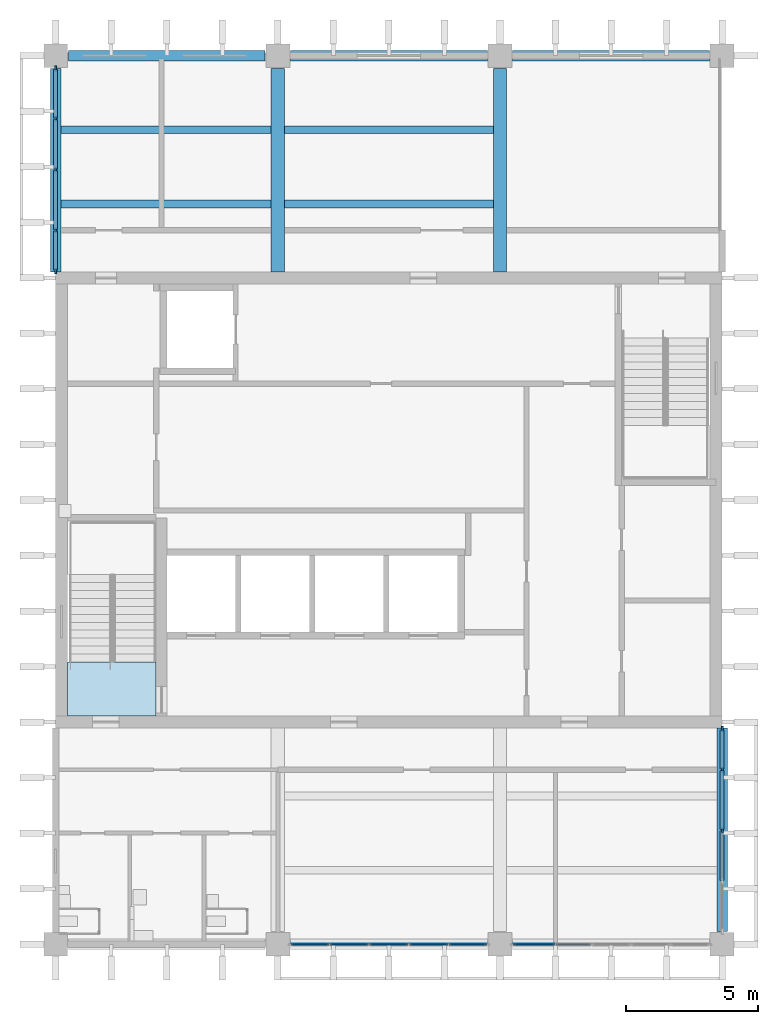
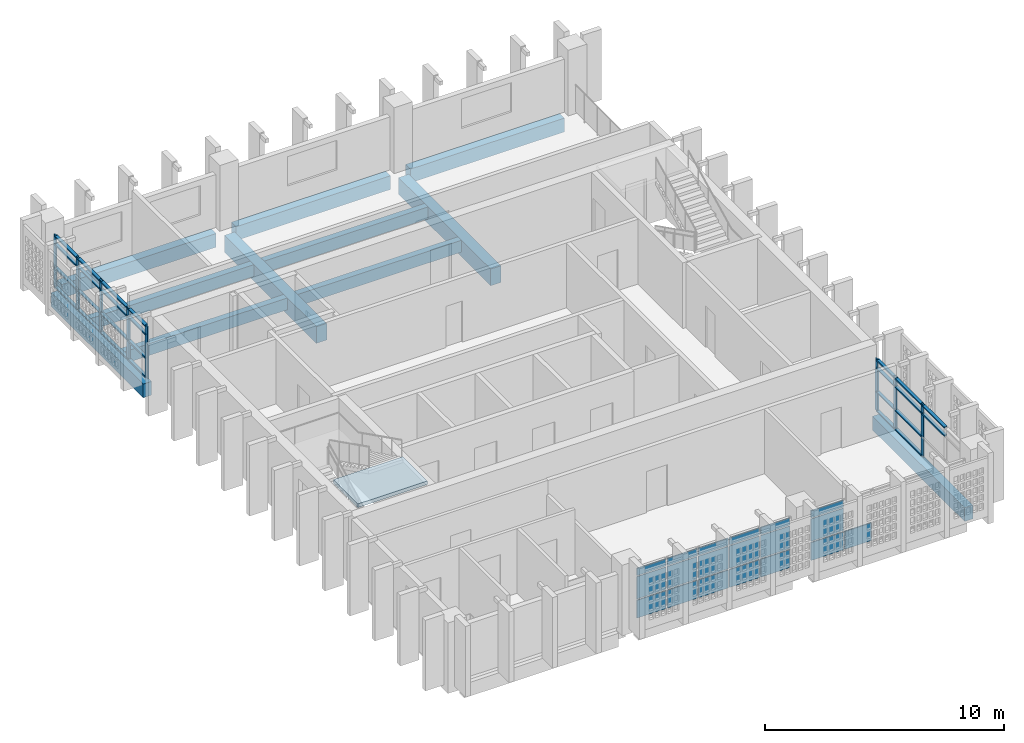
# One storey, part 3 of 13: 34 members, 19 plates, 11 beams, 1 slab, 5 elements without a shape of their own.
"""IFC4 building model written with IfcOpenShell, lengths in metres."""

from ifc_helpers import new_model, si_unit, direction, frame, origin, origin_2d, place, context, subcontext, project, spatial, polyline, rectangle, outline, extrude, material, layer, layer_set, material_profile, profile_set, type_object, element, aggregate, save


model = new_model("IFC4")

# Units and contexts
model_context = context("Model", 3, precision=1e-05, world=origin(), true_north=direction((0.0, 1.0)))
body_context = subcontext(model_context, "Body", "Model", "MODEL_VIEW")
ifc_project = project(units=[si_unit("LENGTHUNIT", "METRE"), si_unit("AREAUNIT", "SQUARE_METRE"), si_unit("VOLUMEUNIT", "CUBIC_METRE"), si_unit("PLANEANGLEUNIT", "RADIAN"), si_unit("MASSUNIT", "GRAM", prefix="KILO")], contexts=[model_context])

# Site, building, storey
site_placement = place(None, origin())
site = spatial("IfcSite", under=ifc_project, at=site_placement, CompositionType="ELEMENT")
building_placement = place(site_placement, origin())
building = spatial("IfcBuilding", under=site, at=building_placement, Name="Rulbaag Community and Learning Centre", CompositionType="ELEMENT")
storey_placement = place(building_placement, frame((0.0, 0.0, 25.199951171875)))
storey = spatial("IfcBuildingStorey", under=building, at=storey_placement, Name="L06", CompositionType="ELEMENT", Elevation=25.199951171875)

# Beams
ifc_material_1 = material(Name="Concrete M40", Category="concrete")
ifc_material_profile_1 = material_profile(ifc_material_1, rectangle(XDim=0.39990234375, YDim=0.699951171875, at=origin_2d()), Name="RB400x700")
ifc_profile_set_1 = profile_set([ifc_material_profile_1], Name="Concrete M40")
beam_type_1 = type_object("IfcBeamType", Name="B17 Tower edge beam, lower zone 400x700 Concrete M40", PredefinedType="BEAM", material=ifc_profile_set_1)
beam_1_placement = place(storey_placement, frame((142.800048828125, 109.425048828125, -0.599853515625), z_axis=(0.0, 1.0, 0.0), x_axis=(-1.0, 0.0, 0.0)))
element("IfcBeam", 1, at=beam_1_placement, inside=storey, type_object=beam_type_1, Name="BM-L06-18N-18O", PredefinedType="BEAM", context=body_context, shape_type="SweptSolid", body=[
    extrude(rectangle(XDim=0.39990234375, YDim=0.699951171875, at=origin_2d()), origin(), (0.0, 0.0, 1.0), 7.695068359375),
])
beam_2_placement = place(storey_placement, frame((143.280029296875, 117.60009765625, -0.599853515625), z_axis=(1.0, 0.0, 0.0), x_axis=(0.0, 1.0, 0.0)))
element("IfcBeam", 2, at=beam_2_placement, inside=storey, type_object=beam_type_1, Name="BM-L06-18O-19O", PredefinedType="BEAM", context=body_context, shape_type="SweptSolid", body=[
    extrude(rectangle(XDim=0.39990234375, YDim=0.699951171875, at=origin_2d()), origin(), (0.0, 0.0, 1.0), 7.43994140625),
])
beam_3_placement = place(storey_placement, frame((151.679931640625, 117.60009765625, -0.599853515625), z_axis=(1.0, 0.0, 0.0), x_axis=(0.0, 1.0, 0.0)))
element("IfcBeam", 3, at=beam_3_placement, inside=storey, type_object=beam_type_1, Name="BM-L06-19O-20O", PredefinedType="BEAM", context=body_context, shape_type="SweptSolid", body=[
    extrude(rectangle(XDim=0.39990234375, YDim=0.699951171875, at=origin_2d()), origin(), (0.0, 0.0, 1.0), 7.440185546875),
])
beam_4_placement = place(storey_placement, frame((160.080078125, 117.60009765625, -0.599853515625), z_axis=(1.0, 0.0, 0.0), x_axis=(0.0, 1.0, 0.0)))
element("IfcBeam", 4, at=beam_4_placement, inside=storey, type_object=beam_type_1, Name="BM-L06-20O-21O", PredefinedType="BEAM", context=body_context, shape_type="SweptSolid", body=[
    extrude(rectangle(XDim=0.39990234375, YDim=0.699951171875, at=origin_2d()), origin(), (0.0, 0.0, 1.0), 7.43994140625),
])
beam_5_placement = place(storey_placement, frame((168.0, 84.47998046875, -0.599853515625), z_axis=(0.0, 1.0, 0.0), x_axis=(-1.0, 0.0, 0.0)))
element("IfcBeam", 5, at=beam_5_placement, inside=storey, type_object=beam_type_1, Name="BM-L06-21K-21L", PredefinedType="BEAM", context=body_context, shape_type="SweptSolid", body=[
    extrude(rectangle(XDim=0.39990234375, YDim=0.699951171875, at=origin_2d()), origin(), (0.0, 0.0, 1.0), 7.695068359375),
])
ifc_material_profile_2 = material_profile(ifc_material_1, rectangle(XDim=0.5, YDim=0.85009765625, at=origin_2d()), Name="RB500x850")
ifc_profile_set_2 = profile_set([ifc_material_profile_2], Name="Concrete M40")
beam_type_2 = type_object("IfcBeamType", Name="B18 Core-framing beam, lower zone 500x850 Concrete M40", PredefinedType="BEAM", material=ifc_profile_set_2)
for number, where, z_axis, x_axis, name in (
    (6, (151.199951171875, 109.425048828125, -0.675048828125), (0.0, 1.0, 0.0), (-1.0, 0.0, 0.0), "BM-L06-19N-19O"),
    (7, (159.60009765625, 109.425048828125, -0.675048828125), (0.0, 1.0, 0.0), (-1.0, 0.0, 0.0), "BM-L06-20N-20O"),
):
    element("IfcBeam", number, at=place(storey_placement, frame(where, z_axis=z_axis, x_axis=x_axis)), inside=storey, type_object=beam_type_2, Name=name, PredefinedType="BEAM", context=body_context, shape_type="SweptSolid", body=[
        extrude(rectangle(XDim=0.5, YDim=0.85009765625, at=origin_2d()), origin(), (0.0, 0.0, 1.0), 7.695068359375),
    ])
ifc_material_profile_3 = material_profile(ifc_material_1, rectangle(XDim=0.300048828125, YDim=0.60009765625, at=origin_2d()), Name="RB300x600")
ifc_profile_set_3 = profile_set([ifc_material_profile_3], Name="Concrete M40")
beam_type_3 = type_object("IfcBeamType", Name="B30 Secondary joist 300x600 Concrete M40", PredefinedType="BEAM", material=ifc_profile_set_3)
for number, where, z_axis, x_axis, name in (
    (8, (143.0, 112.0, -0.550048828125), (1.0, 0.0, 0.0), (0.0, 1.0, 0.0), "BM-JS-L06-18N-1"),
    (9, (143.0, 114.800048828125, -0.550048828125), (1.0, 0.0, 0.0), (0.0, 1.0, 0.0), "BM-JS-L06-18N-2"),
):
    element("IfcBeam", number, at=place(storey_placement, frame(where, z_axis=z_axis, x_axis=x_axis)), inside=storey, type_object=beam_type_3, Name=name, PredefinedType="BEAM", context=body_context, shape_type="SweptSolid", body=[
        extrude(rectangle(XDim=0.300048828125, YDim=0.60009765625, at=origin_2d()), origin(), (0.0, 0.0, 1.0), 7.949951171875),
    ])
for number, where, z_axis, x_axis, name in (
    (10, (151.449951171875, 112.0, -0.550048828125), (1.0, 0.0, 0.0), (0.0, 1.0, 0.0), "BM-JS-L06-19N-1"),
    (11, (151.449951171875, 114.800048828125, -0.550048828125), (1.0, 0.0, 0.0), (0.0, 1.0, 0.0), "BM-JS-L06-19N-2"),
):
    element("IfcBeam", number, at=place(storey_placement, frame(where, z_axis=z_axis, x_axis=x_axis)), inside=storey, type_object=beam_type_3, Name=name, PredefinedType="BEAM", context=body_context, shape_type="SweptSolid", body=[
        extrude(rectangle(XDim=0.300048828125, YDim=0.60009765625, at=origin_2d()), origin(), (0.0, 0.0, 1.0), 7.900146484375),
    ])

# Curtain wall, members
ifc_material_2 = material(Name="Aluminium", Category="aluminium")
ifc_layer_1 = layer(ifc_material_2, 0.14990234375)
ifc_layer_set_1 = layer_set([ifc_layer_1], Name="CW-T")
curtain_wall_type_1 = type_object("IfcCurtainWallType", Name="CW-T", PredefinedType="USERDEFINED", material=ifc_layer_set_1)
curtain_wall_1_placement = place(storey_placement, origin())
curtain_wall_1 = element("IfcCurtainWall", 12, at=curtain_wall_1_placement, inside=storey, type_object=curtain_wall_type_1, Name="GT-L06-01", ObjectType="UNITISED CURTAIN WALL", PredefinedType="USERDEFINED")
ifc_material_3 = material(Name="Aluminium mullion", Category="aluminium")
ifc_material_profile_4 = material_profile(ifc_material_3, rectangle(XDim=0.06494140625, YDim=0.199951171875, at=origin_2d()), Name="AL 65x200")
ifc_profile_set_4 = profile_set([ifc_material_profile_4], Name="Aluminium mullion")
member_type_1 = type_object("IfcMemberType", Name="CW-T-MUL", PredefinedType="MULLION", material=ifc_profile_set_4)
member_1_placement = place(storey_placement, frame((142.800048828125, 109.45751953125, 0.0), z_axis=(0.0, 0.0, 1.0), x_axis=(-1.0, 0.0, 0.0)))
member_1 = element("IfcMember", 13, at=member_1_placement, type_object=member_type_1, Name="GT mullion 1", PredefinedType="MULLION", context=body_context, shape_type="SweptSolid", body=[
    extrude(rectangle(XDim=0.06494140625, YDim=0.199951171875, at=origin_2d()), origin(), (0.0, 0.0, 1.0), 2.650146484375),
])
member_2_placement = place(storey_placement, frame((142.800048828125, 111.0, 0.0), z_axis=(0.0, 0.0, 1.0), x_axis=(-1.0, 0.0, 0.0)))
member_2 = element("IfcMember", 14, at=member_2_placement, type_object=member_type_1, Name="GT mullion 2", PredefinedType="MULLION", context=body_context, shape_type="SweptSolid", body=[
    extrude(rectangle(XDim=0.06494140625, YDim=0.199951171875, at=origin_2d()), origin(), (0.0, 0.0, 1.0), 2.650146484375),
])
member_3_placement = place(storey_placement, frame((142.800048828125, 113.28759765625, 0.0), z_axis=(0.0, 0.0, 1.0), x_axis=(-1.0, 0.0, 0.0)))
member_3 = element("IfcMember", 15, at=member_3_placement, type_object=member_type_1, Name="GT mullion 3", PredefinedType="MULLION", context=body_context, shape_type="SweptSolid", body=[
    extrude(rectangle(XDim=0.06494140625, YDim=0.199951171875, at=origin_2d()), origin(), (0.0, 0.0, 1.0), 2.650146484375),
])
member_4_placement = place(storey_placement, frame((142.800048828125, 115.21875, 0.0), z_axis=(0.0, 0.0, 1.0), x_axis=(-1.0, 0.0, 0.0)))
member_4 = element("IfcMember", 16, at=member_4_placement, type_object=member_type_1, Name="GT mullion 4", PredefinedType="MULLION", context=body_context, shape_type="SweptSolid", body=[
    extrude(rectangle(XDim=0.06494140625, YDim=0.199951171875, at=origin_2d()), origin(), (0.0, 0.0, 1.0), 2.650146484375),
])
member_5_placement = place(storey_placement, frame((142.800048828125, 117.117431640625, 0.0), z_axis=(0.0, 0.0, 1.0), x_axis=(-1.0, 0.0, 0.0)))
member_5 = element("IfcMember", 17, at=member_5_placement, type_object=member_type_1, Name="GT mullion 5", PredefinedType="MULLION", context=body_context, shape_type="SweptSolid", body=[
    extrude(rectangle(XDim=0.06494140625, YDim=0.199951171875, at=origin_2d()), origin(), (0.0, 0.0, 1.0), 2.650146484375),
])

curtain_wall_2_placement = place(storey_placement, origin())
curtain_wall_2 = element("IfcCurtainWall", 18, at=curtain_wall_2_placement, inside=storey, type_object=curtain_wall_type_1, Name="GT-L06-02", ObjectType="UNITISED CURTAIN WALL", PredefinedType="USERDEFINED")
member_6_placement = place(storey_placement, frame((168.0, 88.3125, 0.0), z_axis=(0.0, 0.0, 1.0), x_axis=(-1.0, 0.0, 0.0)))
member_6 = element("IfcMember", 19, at=member_6_placement, type_object=member_type_1, Name="GT mullion 3", PredefinedType="MULLION", context=body_context, shape_type="SweptSolid", body=[
    extrude(rectangle(XDim=0.06494140625, YDim=0.199951171875, at=origin_2d()), origin(), (0.0, 0.0, 1.0), 2.650146484375),
])
member_7_placement = place(storey_placement, frame((168.0, 90.60009765625, 0.0), z_axis=(0.0, 0.0, 1.0), x_axis=(-1.0, 0.0, 0.0)))
member_7 = element("IfcMember", 20, at=member_7_placement, type_object=member_type_1, Name="GT mullion 4", PredefinedType="MULLION", context=body_context, shape_type="SweptSolid", body=[
    extrude(rectangle(XDim=0.06494140625, YDim=0.199951171875, at=origin_2d()), origin(), (0.0, 0.0, 1.0), 2.650146484375),
])
member_8_placement = place(storey_placement, frame((168.0, 92.142578125, 0.0), z_axis=(0.0, 0.0, 1.0), x_axis=(-1.0, 0.0, 0.0)))
member_8 = element("IfcMember", 21, at=member_8_placement, type_object=member_type_1, Name="GT mullion 5", PredefinedType="MULLION", context=body_context, shape_type="SweptSolid", body=[
    extrude(rectangle(XDim=0.06494140625, YDim=0.199951171875, at=origin_2d()), origin(), (0.0, 0.0, 1.0), 2.650146484375),
])

# Member
ifc_material_4 = material(Name="Aluminium transom", Category="aluminium")
ifc_material_profile_5 = material_profile(ifc_material_4, rectangle(XDim=0.14990234375, YDim=0.06494140625, at=origin_2d()), Name="AL 65x150 T")
ifc_profile_set_5 = profile_set([ifc_material_profile_5], Name="Aluminium transom")
member_type_2 = type_object("IfcMemberType", Name="CW-T-TRN", PredefinedType="USERDEFINED", material=ifc_profile_set_5)
member_9_placement = place(storey_placement, frame((142.800048828125, 109.489990234375, 0.032470703125), z_axis=(0.0, 1.0, 0.0), x_axis=(-1.0, 0.0, 0.0)))
member_9 = element("IfcMember", 22, at=member_9_placement, type_object=member_type_2, Name="GT transom 1.1", ObjectType="TRANSOM", PredefinedType="USERDEFINED", context=body_context, shape_type="SweptSolid", body=[
    extrude(rectangle(XDim=0.14990234375, YDim=0.06494140625, at=origin_2d()), origin(), (0.0, 0.0, 1.0), 1.4775390625),
])

member_10_placement = place(storey_placement, frame((142.800048828125, 109.489990234375, 1.0), z_axis=(0.0, 1.0, 0.0), x_axis=(-1.0, 0.0, 0.0)))
member_10 = element("IfcMember", 23, at=member_10_placement, type_object=member_type_2, Name="GT transom 1.2", ObjectType="TRANSOM", PredefinedType="USERDEFINED", context=body_context, shape_type="SweptSolid", body=[
    extrude(rectangle(XDim=0.14990234375, YDim=0.06494140625, at=origin_2d()), origin(), (0.0, 0.0, 1.0), 1.4775390625),
])

member_11_placement = place(storey_placement, frame((142.800048828125, 109.489990234375, 2.199951171875), z_axis=(0.0, 1.0, 0.0), x_axis=(-1.0, 0.0, 0.0)))
member_11 = element("IfcMember", 24, at=member_11_placement, type_object=member_type_2, Name="GT transom 1.3", ObjectType="TRANSOM", PredefinedType="USERDEFINED", context=body_context, shape_type="SweptSolid", body=[
    extrude(rectangle(XDim=0.14990234375, YDim=0.06494140625, at=origin_2d()), origin(), (0.0, 0.0, 1.0), 1.4775390625),
])

member_12_placement = place(storey_placement, frame((142.800048828125, 109.489990234375, 2.617431640625), z_axis=(0.0, 1.0, 0.0), x_axis=(-1.0, 0.0, 0.0)))
member_12 = element("IfcMember", 25, at=member_12_placement, type_object=member_type_2, Name="GT transom 1.4", ObjectType="TRANSOM", PredefinedType="USERDEFINED", context=body_context, shape_type="SweptSolid", body=[
    extrude(rectangle(XDim=0.14990234375, YDim=0.06494140625, at=origin_2d()), origin(), (0.0, 0.0, 1.0), 1.4775390625),
])

member_13_placement = place(storey_placement, frame((142.800048828125, 111.032470703125, 0.032470703125), z_axis=(0.0, 1.0, 0.0), x_axis=(-1.0, 0.0, 0.0)))
member_13 = element("IfcMember", 26, at=member_13_placement, type_object=member_type_2, Name="GT transom 2.1", ObjectType="TRANSOM", PredefinedType="USERDEFINED", context=body_context, shape_type="SweptSolid", body=[
    extrude(rectangle(XDim=0.14990234375, YDim=0.06494140625, at=origin_2d()), origin(), (0.0, 0.0, 1.0), 2.222412109375),
])

member_14_placement = place(storey_placement, frame((142.800048828125, 111.032470703125, 1.0), z_axis=(0.0, 1.0, 0.0), x_axis=(-1.0, 0.0, 0.0)))
member_14 = element("IfcMember", 27, at=member_14_placement, type_object=member_type_2, Name="GT transom 2.2", ObjectType="TRANSOM", PredefinedType="USERDEFINED", context=body_context, shape_type="SweptSolid", body=[
    extrude(rectangle(XDim=0.14990234375, YDim=0.06494140625, at=origin_2d()), origin(), (0.0, 0.0, 1.0), 2.222412109375),
])

member_15_placement = place(storey_placement, frame((142.800048828125, 111.032470703125, 2.199951171875), z_axis=(0.0, 1.0, 0.0), x_axis=(-1.0, 0.0, 0.0)))
member_15 = element("IfcMember", 28, at=member_15_placement, type_object=member_type_2, Name="GT transom 2.3", ObjectType="TRANSOM", PredefinedType="USERDEFINED", context=body_context, shape_type="SweptSolid", body=[
    extrude(rectangle(XDim=0.14990234375, YDim=0.06494140625, at=origin_2d()), origin(), (0.0, 0.0, 1.0), 2.222412109375),
])

member_16_placement = place(storey_placement, frame((142.800048828125, 111.032470703125, 2.617431640625), z_axis=(0.0, 1.0, 0.0), x_axis=(-1.0, 0.0, 0.0)))
member_16 = element("IfcMember", 29, at=member_16_placement, type_object=member_type_2, Name="GT transom 2.4", ObjectType="TRANSOM", PredefinedType="USERDEFINED", context=body_context, shape_type="SweptSolid", body=[
    extrude(rectangle(XDim=0.14990234375, YDim=0.06494140625, at=origin_2d()), origin(), (0.0, 0.0, 1.0), 2.222412109375),
])

member_17_placement = place(storey_placement, frame((142.800048828125, 113.320068359375, 0.032470703125), z_axis=(0.0, 1.0, 0.0), x_axis=(-1.0, 0.0, 0.0)))
member_17 = element("IfcMember", 30, at=member_17_placement, type_object=member_type_2, Name="GT transom 3.1", ObjectType="TRANSOM", PredefinedType="USERDEFINED", context=body_context, shape_type="SweptSolid", body=[
    extrude(rectangle(XDim=0.14990234375, YDim=0.06494140625, at=origin_2d()), origin(), (0.0, 0.0, 1.0), 1.8662109375),
])

member_18_placement = place(storey_placement, frame((142.800048828125, 113.320068359375, 1.0), z_axis=(0.0, 1.0, 0.0), x_axis=(-1.0, 0.0, 0.0)))
member_18 = element("IfcMember", 31, at=member_18_placement, type_object=member_type_2, Name="GT transom 3.2", ObjectType="TRANSOM", PredefinedType="USERDEFINED", context=body_context, shape_type="SweptSolid", body=[
    extrude(rectangle(XDim=0.14990234375, YDim=0.06494140625, at=origin_2d()), origin(), (0.0, 0.0, 1.0), 1.8662109375),
])

member_19_placement = place(storey_placement, frame((142.800048828125, 113.320068359375, 2.199951171875), z_axis=(0.0, 1.0, 0.0), x_axis=(-1.0, 0.0, 0.0)))
member_19 = element("IfcMember", 32, at=member_19_placement, type_object=member_type_2, Name="GT transom 3.3", ObjectType="TRANSOM", PredefinedType="USERDEFINED", context=body_context, shape_type="SweptSolid", body=[
    extrude(rectangle(XDim=0.14990234375, YDim=0.06494140625, at=origin_2d()), origin(), (0.0, 0.0, 1.0), 1.8662109375),
])

member_20_placement = place(storey_placement, frame((142.800048828125, 113.320068359375, 2.617431640625), z_axis=(0.0, 1.0, 0.0), x_axis=(-1.0, 0.0, 0.0)))
member_20 = element("IfcMember", 33, at=member_20_placement, type_object=member_type_2, Name="GT transom 3.4", ObjectType="TRANSOM", PredefinedType="USERDEFINED", context=body_context, shape_type="SweptSolid", body=[
    extrude(rectangle(XDim=0.14990234375, YDim=0.06494140625, at=origin_2d()), origin(), (0.0, 0.0, 1.0), 1.8662109375),
])

member_21_placement = place(storey_placement, frame((142.800048828125, 115.251220703125, 0.032470703125), z_axis=(0.0, 1.0, 0.0), x_axis=(-1.0, 0.0, 0.0)))
member_21 = element("IfcMember", 34, at=member_21_placement, type_object=member_type_2, Name="GT transom 4.1", ObjectType="TRANSOM", PredefinedType="USERDEFINED", context=body_context, shape_type="SweptSolid", body=[
    extrude(rectangle(XDim=0.14990234375, YDim=0.06494140625, at=origin_2d()), origin(), (0.0, 0.0, 1.0), 1.833740234375),
])

member_22_placement = place(storey_placement, frame((142.800048828125, 115.251220703125, 1.0), z_axis=(0.0, 1.0, 0.0), x_axis=(-1.0, 0.0, 0.0)))
member_22 = element("IfcMember", 35, at=member_22_placement, type_object=member_type_2, Name="GT transom 4.2", ObjectType="TRANSOM", PredefinedType="USERDEFINED", context=body_context, shape_type="SweptSolid", body=[
    extrude(rectangle(XDim=0.14990234375, YDim=0.06494140625, at=origin_2d()), origin(), (0.0, 0.0, 1.0), 1.833740234375),
])

member_23_placement = place(storey_placement, frame((142.800048828125, 115.251220703125, 2.199951171875), z_axis=(0.0, 1.0, 0.0), x_axis=(-1.0, 0.0, 0.0)))
member_23 = element("IfcMember", 36, at=member_23_placement, type_object=member_type_2, Name="GT transom 4.3", ObjectType="TRANSOM", PredefinedType="USERDEFINED", context=body_context, shape_type="SweptSolid", body=[
    extrude(rectangle(XDim=0.14990234375, YDim=0.06494140625, at=origin_2d()), origin(), (0.0, 0.0, 1.0), 1.833740234375),
])

member_24_placement = place(storey_placement, frame((142.800048828125, 115.251220703125, 2.617431640625), z_axis=(0.0, 1.0, 0.0), x_axis=(-1.0, 0.0, 0.0)))
member_24 = element("IfcMember", 37, at=member_24_placement, type_object=member_type_2, Name="GT transom 4.4", ObjectType="TRANSOM", PredefinedType="USERDEFINED", context=body_context, shape_type="SweptSolid", body=[
    extrude(rectangle(XDim=0.14990234375, YDim=0.06494140625, at=origin_2d()), origin(), (0.0, 0.0, 1.0), 1.833740234375),
])

aggregate(curtain_wall_1, [member_1, member_2, member_3, member_4, member_5, member_9, member_10, member_11, member_12, member_13, member_14, member_15, member_16, member_17, member_18, member_19, member_20, member_21, member_22, member_23, member_24])

member_25_placement = place(storey_placement, frame((168.0, 86.413818359375, 2.199951171875), z_axis=(0.0, 1.0, 0.0), x_axis=(-1.0, 0.0, 0.0)))
member_25 = element("IfcMember", 38, at=member_25_placement, type_object=member_type_2, Name="GT transom 2.3", ObjectType="TRANSOM", PredefinedType="USERDEFINED", context=body_context, shape_type="SweptSolid", body=[
    extrude(rectangle(XDim=0.14990234375, YDim=0.06494140625, at=origin_2d()), origin(), (0.0, 0.0, 1.0), 1.8662109375),
])

member_26_placement = place(storey_placement, frame((168.0, 86.413818359375, 2.617431640625), z_axis=(0.0, 1.0, 0.0), x_axis=(-1.0, 0.0, 0.0)))
member_26 = element("IfcMember", 39, at=member_26_placement, type_object=member_type_2, Name="GT transom 2.4", ObjectType="TRANSOM", PredefinedType="USERDEFINED", context=body_context, shape_type="SweptSolid", body=[
    extrude(rectangle(XDim=0.14990234375, YDim=0.06494140625, at=origin_2d()), origin(), (0.0, 0.0, 1.0), 1.8662109375),
])

member_27_placement = place(storey_placement, frame((168.0, 88.344970703125, 0.032470703125), z_axis=(0.0, 1.0, 0.0), x_axis=(-1.0, 0.0, 0.0)))
member_27 = element("IfcMember", 40, at=member_27_placement, type_object=member_type_2, Name="GT transom 3.1", ObjectType="TRANSOM", PredefinedType="USERDEFINED", context=body_context, shape_type="SweptSolid", body=[
    extrude(rectangle(XDim=0.14990234375, YDim=0.06494140625, at=origin_2d()), origin(), (0.0, 0.0, 1.0), 2.222412109375),
])

member_28_placement = place(storey_placement, frame((168.0, 88.344970703125, 1.0), z_axis=(0.0, 1.0, 0.0), x_axis=(-1.0, 0.0, 0.0)))
member_28 = element("IfcMember", 41, at=member_28_placement, type_object=member_type_2, Name="GT transom 3.2", ObjectType="TRANSOM", PredefinedType="USERDEFINED", context=body_context, shape_type="SweptSolid", body=[
    extrude(rectangle(XDim=0.14990234375, YDim=0.06494140625, at=origin_2d()), origin(), (0.0, 0.0, 1.0), 2.222412109375),
])

member_29_placement = place(storey_placement, frame((168.0, 88.344970703125, 2.199951171875), z_axis=(0.0, 1.0, 0.0), x_axis=(-1.0, 0.0, 0.0)))
member_29 = element("IfcMember", 42, at=member_29_placement, type_object=member_type_2, Name="GT transom 3.3", ObjectType="TRANSOM", PredefinedType="USERDEFINED", context=body_context, shape_type="SweptSolid", body=[
    extrude(rectangle(XDim=0.14990234375, YDim=0.06494140625, at=origin_2d()), origin(), (0.0, 0.0, 1.0), 2.222412109375),
])

member_30_placement = place(storey_placement, frame((168.0, 88.344970703125, 2.617431640625), z_axis=(0.0, 1.0, 0.0), x_axis=(-1.0, 0.0, 0.0)))
member_30 = element("IfcMember", 43, at=member_30_placement, type_object=member_type_2, Name="GT transom 3.4", ObjectType="TRANSOM", PredefinedType="USERDEFINED", context=body_context, shape_type="SweptSolid", body=[
    extrude(rectangle(XDim=0.14990234375, YDim=0.06494140625, at=origin_2d()), origin(), (0.0, 0.0, 1.0), 2.222412109375),
])

member_31_placement = place(storey_placement, frame((168.0, 90.632568359375, 0.032470703125), z_axis=(0.0, 1.0, 0.0), x_axis=(-1.0, 0.0, 0.0)))
member_31 = element("IfcMember", 44, at=member_31_placement, type_object=member_type_2, Name="GT transom 4.1", ObjectType="TRANSOM", PredefinedType="USERDEFINED", context=body_context, shape_type="SweptSolid", body=[
    extrude(rectangle(XDim=0.14990234375, YDim=0.06494140625, at=origin_2d()), origin(), (0.0, 0.0, 1.0), 1.4775390625),
])

member_32_placement = place(storey_placement, frame((168.0, 90.632568359375, 1.0), z_axis=(0.0, 1.0, 0.0), x_axis=(-1.0, 0.0, 0.0)))
member_32 = element("IfcMember", 45, at=member_32_placement, type_object=member_type_2, Name="GT transom 4.2", ObjectType="TRANSOM", PredefinedType="USERDEFINED", context=body_context, shape_type="SweptSolid", body=[
    extrude(rectangle(XDim=0.14990234375, YDim=0.06494140625, at=origin_2d()), origin(), (0.0, 0.0, 1.0), 1.4775390625),
])

member_33_placement = place(storey_placement, frame((168.0, 90.632568359375, 2.199951171875), z_axis=(0.0, 1.0, 0.0), x_axis=(-1.0, 0.0, 0.0)))
member_33 = element("IfcMember", 46, at=member_33_placement, type_object=member_type_2, Name="GT transom 4.3", ObjectType="TRANSOM", PredefinedType="USERDEFINED", context=body_context, shape_type="SweptSolid", body=[
    extrude(rectangle(XDim=0.14990234375, YDim=0.06494140625, at=origin_2d()), origin(), (0.0, 0.0, 1.0), 1.4775390625),
])

member_34_placement = place(storey_placement, frame((168.0, 90.632568359375, 2.617431640625), z_axis=(0.0, 1.0, 0.0), x_axis=(-1.0, 0.0, 0.0)))
member_34 = element("IfcMember", 47, at=member_34_placement, type_object=member_type_2, Name="GT transom 4.4", ObjectType="TRANSOM", PredefinedType="USERDEFINED", context=body_context, shape_type="SweptSolid", body=[
    extrude(rectangle(XDim=0.14990234375, YDim=0.06494140625, at=origin_2d()), origin(), (0.0, 0.0, 1.0), 1.4775390625),
])

aggregate(curtain_wall_2, [member_6, member_7, member_8, member_25, member_26, member_27, member_28, member_29, member_30, member_31, member_32, member_33, member_34])

# Curtain wall, plates
ifc_layer_2 = layer(ifc_material_2, 0.14990234375)
ifc_layer_set_2 = layer_set([ifc_layer_2], Name="CW-S")
curtain_wall_type_2 = type_object("IfcCurtainWallType", Name="CW-S", PredefinedType="USERDEFINED", material=ifc_layer_set_2)
curtain_wall_3_placement = place(storey_placement, origin())
curtain_wall_3 = element("IfcCurtainWall", 48, at=curtain_wall_3_placement, inside=storey, type_object=curtain_wall_type_2, Name="GS-L06-01", ObjectType="UNITISED CURTAIN WALL", PredefinedType="USERDEFINED")
ifc_layer_3 = layer(ifc_material_2, 0.054931640625)
ifc_layer_set_3 = layer_set([ifc_layer_3], Name="CW-S-SPN")
plate_type_1 = type_object("IfcPlateType", Name="CW-S-SPN", PredefinedType="CURTAIN_PANEL", material=ifc_layer_set_3)
plate_1_placement = place(storey_placement, frame((152.4150390625, 84.0, 0.06005859375), z_axis=(0.0, 0.0, 1.0), x_axis=(1.0, 0.0, 0.0)))
plate_1 = element("IfcPlate", 49, at=plate_1_placement, type_object=plate_type_1, Name="GS spandrel panel", PredefinedType="CURTAIN_PANEL", context=body_context, shape_type="SweptSolid", body=[
    extrude(rectangle(XDim=1.409912109375, YDim=0.054931640625, at=origin_2d()), origin(), (0.0, 0.0, 1.0), 0.909912109375),
])
plate_2_placement = place(storey_placement, frame((152.4150390625, 84.0, 2.22998046875), z_axis=(0.0, 0.0, 1.0), x_axis=(1.0, 0.0, 0.0)))
plate_2 = element("IfcPlate", 50, at=plate_2_placement, type_object=plate_type_1, Name="GS spandrel panel", PredefinedType="CURTAIN_PANEL", context=body_context, shape_type="SweptSolid", body=[
    extrude(rectangle(XDim=1.409912109375, YDim=0.054931640625, at=origin_2d()), origin(), (0.0, 0.0, 1.0), 0.360107421875),
])
plate_3_placement = place(storey_placement, frame((153.89990234375, 84.0, 0.06005859375), z_axis=(0.0, 0.0, 1.0), x_axis=(1.0, 0.0, 0.0)))
plate_3 = element("IfcPlate", 51, at=plate_3_placement, type_object=plate_type_1, Name="GS spandrel panel", PredefinedType="CURTAIN_PANEL", context=body_context, shape_type="SweptSolid", body=[
    extrude(rectangle(XDim=1.43994140625, YDim=0.054931640625, at=origin_2d()), origin(), (0.0, 0.0, 1.0), 0.909912109375),
])
plate_4_placement = place(storey_placement, frame((153.89990234375, 84.0, 2.22998046875), z_axis=(0.0, 0.0, 1.0), x_axis=(1.0, 0.0, 0.0)))
plate_4 = element("IfcPlate", 52, at=plate_4_placement, type_object=plate_type_1, Name="GS spandrel panel", PredefinedType="CURTAIN_PANEL", context=body_context, shape_type="SweptSolid", body=[
    extrude(rectangle(XDim=1.43994140625, YDim=0.054931640625, at=origin_2d()), origin(), (0.0, 0.0, 1.0), 0.360107421875),
])
plate_5_placement = place(storey_placement, frame((155.39990234375, 84.0, 0.06005859375), z_axis=(0.0, 0.0, 1.0), x_axis=(1.0, 0.0, 0.0)))
plate_5 = element("IfcPlate", 53, at=plate_5_placement, type_object=plate_type_1, Name="GS spandrel panel", PredefinedType="CURTAIN_PANEL", context=body_context, shape_type="SweptSolid", body=[
    extrude(rectangle(XDim=1.43994140625, YDim=0.054931640625, at=origin_2d()), origin(), (0.0, 0.0, 1.0), 0.909912109375),
])
plate_6_placement = place(storey_placement, frame((155.39990234375, 84.0, 2.22998046875), z_axis=(0.0, 0.0, 1.0), x_axis=(1.0, 0.0, 0.0)))
plate_6 = element("IfcPlate", 54, at=plate_6_placement, type_object=plate_type_1, Name="GS spandrel panel", PredefinedType="CURTAIN_PANEL", context=body_context, shape_type="SweptSolid", body=[
    extrude(rectangle(XDim=1.43994140625, YDim=0.054931640625, at=origin_2d()), origin(), (0.0, 0.0, 1.0), 0.360107421875),
])
plate_7_placement = place(storey_placement, frame((156.89990234375, 84.0, 0.06005859375), z_axis=(0.0, 0.0, 1.0), x_axis=(1.0, 0.0, 0.0)))
plate_7 = element("IfcPlate", 55, at=plate_7_placement, type_object=plate_type_1, Name="GS spandrel panel", PredefinedType="CURTAIN_PANEL", context=body_context, shape_type="SweptSolid", body=[
    extrude(rectangle(XDim=1.43994140625, YDim=0.054931640625, at=origin_2d()), origin(), (0.0, 0.0, 1.0), 0.909912109375),
])
plate_8_placement = place(storey_placement, frame((156.89990234375, 84.0, 2.22998046875), z_axis=(0.0, 0.0, 1.0), x_axis=(1.0, 0.0, 0.0)))
plate_8 = element("IfcPlate", 56, at=plate_8_placement, type_object=plate_type_1, Name="GS spandrel panel", PredefinedType="CURTAIN_PANEL", context=body_context, shape_type="SweptSolid", body=[
    extrude(rectangle(XDim=1.43994140625, YDim=0.054931640625, at=origin_2d()), origin(), (0.0, 0.0, 1.0), 0.360107421875),
])
plate_9_placement = place(storey_placement, frame((158.385009765625, 84.0, 0.06005859375), z_axis=(0.0, 0.0, 1.0), x_axis=(1.0, 0.0, 0.0)))
plate_9 = element("IfcPlate", 57, at=plate_9_placement, type_object=plate_type_1, Name="GS spandrel panel", PredefinedType="CURTAIN_PANEL", context=body_context, shape_type="SweptSolid", body=[
    extrude(rectangle(XDim=1.409912109375, YDim=0.054931640625, at=origin_2d()), origin(), (0.0, 0.0, 1.0), 0.909912109375),
])
plate_10_placement = place(storey_placement, frame((158.385009765625, 84.0, 2.22998046875), z_axis=(0.0, 0.0, 1.0), x_axis=(1.0, 0.0, 0.0)))
plate_10 = element("IfcPlate", 58, at=plate_10_placement, type_object=plate_type_1, Name="GS spandrel panel", PredefinedType="CURTAIN_PANEL", context=body_context, shape_type="SweptSolid", body=[
    extrude(rectangle(XDim=1.409912109375, YDim=0.054931640625, at=origin_2d()), origin(), (0.0, 0.0, 1.0), 0.360107421875),
])

curtain_wall_4_placement = place(storey_placement, origin())
curtain_wall_4 = element("IfcCurtainWall", 59, at=curtain_wall_4_placement, inside=storey, type_object=curtain_wall_type_2, Name="GS-L06-02", ObjectType="UNITISED CURTAIN WALL", PredefinedType="USERDEFINED")
plate_11_placement = place(storey_placement, frame((160.889892578125, 84.0, 0.06005859375), z_axis=(0.0, 0.0, 1.0), x_axis=(1.0, 0.0, 0.0)))
plate_11 = element("IfcPlate", 60, at=plate_11_placement, type_object=plate_type_1, Name="GS spandrel panel", PredefinedType="CURTAIN_PANEL", context=body_context, shape_type="SweptSolid", body=[
    extrude(rectangle(XDim=1.56005859375, YDim=0.054931640625, at=origin_2d()), origin(), (0.0, 0.0, 1.0), 0.909912109375),
])
plate_12_placement = place(storey_placement, frame((160.889892578125, 84.0, 2.22998046875), z_axis=(0.0, 0.0, 1.0), x_axis=(1.0, 0.0, 0.0)))
plate_12 = element("IfcPlate", 61, at=plate_12_placement, type_object=plate_type_1, Name="GS spandrel panel", PredefinedType="CURTAIN_PANEL", context=body_context, shape_type="SweptSolid", body=[
    extrude(rectangle(XDim=1.56005859375, YDim=0.054931640625, at=origin_2d()), origin(), (0.0, 0.0, 1.0), 0.360107421875),
])
plate_13_placement = place(storey_placement, frame((162.375, 84.0, 0.06005859375), z_axis=(0.0, 0.0, 1.0), x_axis=(1.0, 0.0, 0.0)))
plate_13 = element("IfcPlate", 62, at=plate_13_placement, type_object=plate_type_1, Name="GS spandrel panel", PredefinedType="CURTAIN_PANEL", context=body_context, shape_type="SweptSolid", body=[
    extrude(rectangle(XDim=1.2900390625, YDim=0.054931640625, at=origin_2d()), origin(), (0.0, 0.0, 1.0), 0.909912109375),
])

# Plate
ifc_material_5 = material(Name="Glass", Category="glass")
ifc_layer_4 = layer(ifc_material_5, 0.030029296875)
ifc_layer_set_4 = layer_set([ifc_layer_4], Name="CW-S-VIS")
plate_type_2 = type_object("IfcPlateType", Name="CW-S-VIS", PredefinedType="CURTAIN_PANEL", material=ifc_layer_set_4)
plate_14_placement = place(storey_placement, frame((152.4150390625, 84.0, 1.0302734375), z_axis=(0.0, 0.0, 1.0), x_axis=(1.0, 0.0, 0.0)))
plate_14 = element("IfcPlate", 63, at=plate_14_placement, type_object=plate_type_2, Name="GS vision panel", PredefinedType="CURTAIN_PANEL", context=body_context, shape_type="SweptSolid", body=[
    extrude(rectangle(XDim=1.409912109375, YDim=0.030029296875, at=origin_2d()), origin(), (0.0, 0.0, 1.0), 1.139892578125),
])

plate_15_placement = place(storey_placement, frame((153.89990234375, 84.0, 1.0302734375), z_axis=(0.0, 0.0, 1.0), x_axis=(1.0, 0.0, 0.0)))
plate_15 = element("IfcPlate", 64, at=plate_15_placement, type_object=plate_type_2, Name="GS vision panel", PredefinedType="CURTAIN_PANEL", context=body_context, shape_type="SweptSolid", body=[
    extrude(rectangle(XDim=1.43994140625, YDim=0.030029296875, at=origin_2d()), origin(), (0.0, 0.0, 1.0), 1.139892578125),
])

plate_16_placement = place(storey_placement, frame((155.39990234375, 84.0, 1.0302734375), z_axis=(0.0, 0.0, 1.0), x_axis=(1.0, 0.0, 0.0)))
plate_16 = element("IfcPlate", 65, at=plate_16_placement, type_object=plate_type_2, Name="GS vision panel", PredefinedType="CURTAIN_PANEL", context=body_context, shape_type="SweptSolid", body=[
    extrude(rectangle(XDim=1.43994140625, YDim=0.030029296875, at=origin_2d()), origin(), (0.0, 0.0, 1.0), 1.139892578125),
])

plate_17_placement = place(storey_placement, frame((156.89990234375, 84.0, 1.0302734375), z_axis=(0.0, 0.0, 1.0), x_axis=(1.0, 0.0, 0.0)))
plate_17 = element("IfcPlate", 66, at=plate_17_placement, type_object=plate_type_2, Name="GS vision panel", PredefinedType="CURTAIN_PANEL", context=body_context, shape_type="SweptSolid", body=[
    extrude(rectangle(XDim=1.43994140625, YDim=0.030029296875, at=origin_2d()), origin(), (0.0, 0.0, 1.0), 1.139892578125),
])

plate_18_placement = place(storey_placement, frame((158.385009765625, 84.0, 1.0302734375), z_axis=(0.0, 0.0, 1.0), x_axis=(1.0, 0.0, 0.0)))
plate_18 = element("IfcPlate", 67, at=plate_18_placement, type_object=plate_type_2, Name="GS vision panel", PredefinedType="CURTAIN_PANEL", context=body_context, shape_type="SweptSolid", body=[
    extrude(rectangle(XDim=1.409912109375, YDim=0.030029296875, at=origin_2d()), origin(), (0.0, 0.0, 1.0), 1.139892578125),
])

aggregate(curtain_wall_3, [plate_1, plate_14, plate_2, plate_3, plate_15, plate_4, plate_5, plate_16, plate_6, plate_7, plate_17, plate_8, plate_9, plate_18, plate_10])

plate_19_placement = place(storey_placement, frame((160.889892578125, 84.0, 1.0302734375), z_axis=(0.0, 0.0, 1.0), x_axis=(1.0, 0.0, 0.0)))
plate_19 = element("IfcPlate", 68, at=plate_19_placement, type_object=plate_type_2, Name="GS vision panel", PredefinedType="CURTAIN_PANEL", context=body_context, shape_type="SweptSolid", body=[
    extrude(rectangle(XDim=1.56005859375, YDim=0.030029296875, at=origin_2d()), origin(), (0.0, 0.0, 1.0), 1.139892578125),
])

aggregate(curtain_wall_4, [plate_11, plate_19, plate_12, plate_13])

# Stair, slab
stair_type = type_object("IfcStairType", Name="ST-1650 STAIR 1650 WIDE", PredefinedType="HALF_TURN_STAIR", material=ifc_material_1)
stair_placement = place(storey_placement, origin())
stair = element("IfcStair", 69, at=stair_placement, inside=storey, type_object=stair_type, Name="Stair ST1 L06", PredefinedType="HALF_TURN_STAIR")
ifc_layer_5 = layer(ifc_material_1, 0.179931640625)
ifc_layer_set_5 = layer_set([ifc_layer_5], Name="LN-180 LANDING 180 Concrete M40")
slab_type = type_object("IfcSlabType", Name="LN-180 LANDING 180 Concrete M40", PredefinedType="LANDING", material=ifc_layer_set_5)
slab_placement = place(storey_placement, frame((0.0, 0.0, 3.420166015625)))
slab = element("IfcSlab", 70, at=slab_placement, type_object=slab_type, Name="ST1 landing 2", PredefinedType="LANDING", context=body_context, shape_type="SweptSolid", body=[
    extrude(outline(polyline([(143.25, 92.625), (143.25, 94.675048828125), (146.60009765625, 94.675048828125), (146.60009765625, 92.625), (143.25, 92.625)])), origin(), (0.0, 0.0, 1.0), 0.179931640625),
])
aggregate(stair, [slab])

save(model, "model.ifc")
